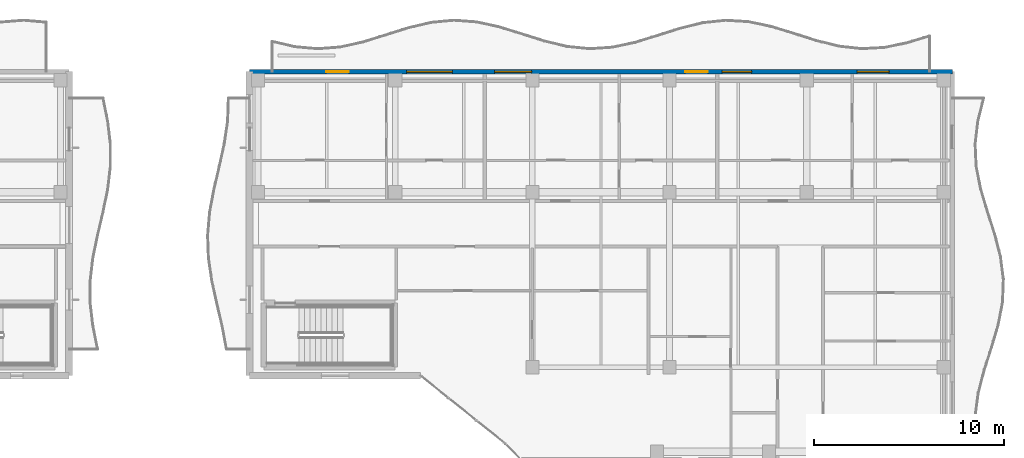
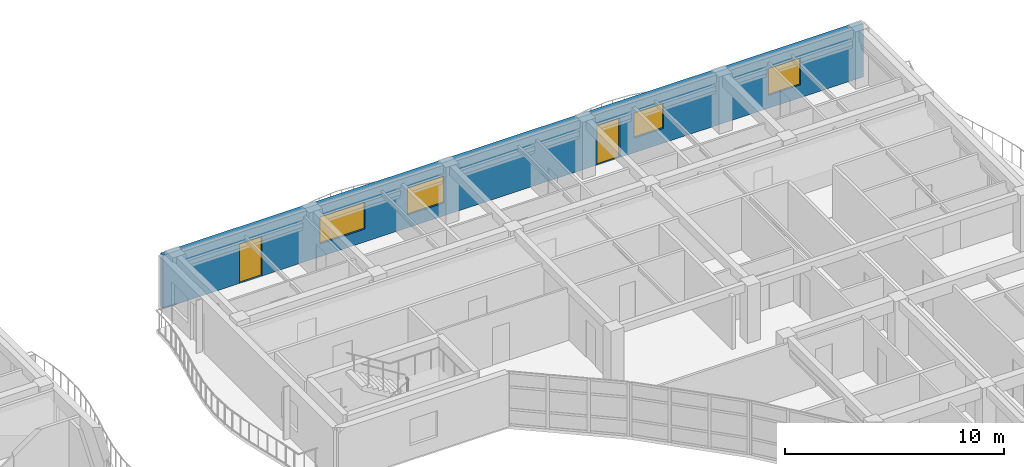
# One storey, part 63 of 89: 4 windows, 2 doors, 1 wall, 6 openings.
"""IFC4 building model written with IfcOpenShell, lengths in metres."""

from ifc_helpers import new_model, si_unit, direction, frame, frame_2d, origin, place, context, subcontext, project, spatial, rectangle, extrude, material, layer, layer_set, type_object, element, fill, save


model = new_model("IFC4")

# Units and contexts
model_context = context("Model", 3, precision=1e-05, world=origin(), true_north=direction((0.0, 1.0)))
body_context = subcontext(model_context, "Body", "Model", "MODEL_VIEW")
ifc_project = project(units=[si_unit("LENGTHUNIT", "METRE"), si_unit("AREAUNIT", "SQUARE_METRE"), si_unit("VOLUMEUNIT", "CUBIC_METRE"), si_unit("PLANEANGLEUNIT", "RADIAN"), si_unit("MASSUNIT", "GRAM", prefix="KILO")], contexts=[model_context])

# Site, building, storey
site_placement = place(None, origin())
site = spatial("IfcSite", under=ifc_project, at=site_placement, CompositionType="ELEMENT")
building_placement = place(site_placement, origin())
building = spatial("IfcBuilding", under=site, at=building_placement, Name="Keldmere Railside Commons", CompositionType="ELEMENT")
storey_placement = place(building_placement, frame((0.0, 0.0, 7.360107421875)))
storey = spatial("IfcBuildingStorey", under=building, at=storey_placement, Name="L02", CompositionType="ELEMENT", Elevation=7.360107421875)

# Wall, openings, windows, doors
ifc_material_1 = material(Name="Architectural Precast Concrete H-35 (C35/45)", Category="concrete")
ifc_layer = layer(ifc_material_1, 0.239990234375, Name="Sand-Ochre Precast Cavity Wall 240")
ifc_layer_set = layer_set([ifc_layer], Name="Architectural Precast Concrete H-35 (C35/45)")
wall_type = type_object("IfcWallType", Name="Sand-Ochre Precast Cavity Wall 240", PredefinedType="SOLIDWALL", material=ifc_layer_set)
wall_placement = place(storey_placement, frame((147.0, 116.0, 0.0), z_axis=(0.0, 0.0, 1.0), x_axis=(1.0, 0.0, 0.0)))
wall = element("IfcWall", 1, at=wall_placement, inside=storey, type_object=wall_type, Name="EW-2 EXTA-L02-0891", PredefinedType="SOLIDWALL", context=body_context, shape_type="SweptSolid", body=[
    extrude(rectangle(XDim=37.0, YDim=0.239990234375, at=frame_2d((18.5, 0.0))), origin(), (0.0, 0.0, 1.0), 2.97998046875),
])
opening_1_placement = place(wall_placement, frame((4.02490234375, 0.0, 0.0)))
opening_1 = element("IfcOpeningElement", 2, at=opening_1_placement, cuts=wall, Name="Opening BD-01", PredefinedType="OPENING", context=body_context, shape_type="SweptSolid", body=[
    extrude(rectangle(XDim=1.199951171875, YDim=2.199951171875, at=frame_2d((0.60009765625, 1.10009765625))), frame((0.0, 0.1298828125, 0.0), z_axis=(0.0, -1.0, 0.0), x_axis=(1.0, 0.0, 0.0)), (0.0, 0.0, 1.0), 0.260009765625),
])
opening_2_placement = place(wall_placement, frame((8.27490234375, 0.0, 0.719970703125)))
opening_2 = element("IfcOpeningElement", 3, at=opening_2_placement, cuts=wall, Name="Opening WN-05", PredefinedType="OPENING", context=body_context, shape_type="SweptSolid", body=[
    extrude(rectangle(XDim=2.39990234375, YDim=1.5, at=frame_2d((1.199951171875, 0.75))), frame((0.0, 0.1298828125, 0.0), z_axis=(0.0, -1.0, 0.0), x_axis=(1.0, 0.0, 0.0)), (0.0, 0.0, 1.0), 0.260009765625),
])
opening_3_placement = place(wall_placement, frame((12.89990234375, 0.0, 0.719970703125)))
opening_3 = element("IfcOpeningElement", 4, at=opening_3_placement, cuts=wall, Name="Opening WN-38", PredefinedType="OPENING", context=body_context, shape_type="SweptSolid", body=[
    extrude(rectangle(XDim=1.949951171875, YDim=1.5, at=frame_2d((0.97509765625, 0.75))), frame((0.0, 0.1298828125, 0.0), z_axis=(0.0, -1.0, 0.0), x_axis=(1.0, 0.0, 0.0)), (0.0, 0.0, 1.0), 0.260009765625),
])
opening_4_placement = place(wall_placement, frame((22.925048828125, 0.0, 0.0)))
opening_4 = element("IfcOpeningElement", 5, at=opening_4_placement, cuts=wall, Name="Opening BD-01", PredefinedType="OPENING", context=body_context, shape_type="SweptSolid", body=[
    extrude(rectangle(XDim=1.199951171875, YDim=2.199951171875, at=frame_2d((0.60009765625, 1.10009765625))), frame((0.0, 0.1298828125, 0.0), z_axis=(0.0, -1.0, 0.0), x_axis=(1.0, 0.0, 0.0)), (0.0, 0.0, 1.0), 0.260009765625),
])
opening_5_placement = place(wall_placement, frame((24.875, 0.0, 0.820068359375)))
opening_5 = element("IfcOpeningElement", 6, at=opening_5_placement, cuts=wall, Name="Opening WN-07", PredefinedType="OPENING", context=body_context, shape_type="SweptSolid", body=[
    extrude(rectangle(XDim=1.550048828125, YDim=1.39990234375, at=frame_2d((0.77490234375, 0.699951171875))), frame((0.0, 0.1298828125, 0.0), z_axis=(0.0, -1.0, 0.0), x_axis=(1.0, 0.0, 0.0)), (0.0, 0.0, 1.0), 0.260009765625),
])
opening_6_placement = place(wall_placement, frame((31.985107421875, 0.0, 0.719970703125)))
opening_6 = element("IfcOpeningElement", 7, at=opening_6_placement, cuts=wall, Name="Opening WN-40", PredefinedType="OPENING", context=body_context, shape_type="SweptSolid", body=[
    extrude(rectangle(XDim=1.679931640625, YDim=1.5, at=frame_2d((0.83984375, 0.75))), frame((0.0, 0.1298828125, 0.0), z_axis=(0.0, -1.0, 0.0), x_axis=(1.0, 0.0, 0.0)), (0.0, 0.0, 1.0), 0.260009765625),
])
ifc_material_2 = material(Name="Low-E Insulated Double Glazing", Category="glass")
window_type_1 = type_object("IfcWindowType", Name="Adaptable Apartment Wide Window 1950x1500", PartitioningType="SINGLE_PANEL", PredefinedType="WINDOW", material=ifc_material_2)
window_1_placement = place(opening_3_placement, origin())
window_1 = element("IfcWindow", 8, at=window_1_placement, inside=storey, type_object=window_type_1, Name="WN-38 WIN-L02-0613", OverallHeight=1.5, OverallWidth=1.949951171875, PartitioningType="SINGLE_PANEL", PredefinedType="WINDOW", context=body_context, shape_type="SweptSolid", body=[
    extrude(rectangle(XDim=1.949951171875, YDim=1.5, at=frame_2d((0.97509765625, 0.75))), frame((0.0, 0.030029296875, 0.0), z_axis=(0.0, -1.0, 0.0), x_axis=(1.0, 0.0, 0.0)), (0.0, 0.0, 1.0), 0.06005859375),
])
fill(opening_3, window_1)
ifc_material_3 = material(Name="Thermally Broken Aluminium", Category="aluminium")
door_type = type_object("IfcDoorType", Name="Apartment Living Wave-Balcony Glazed Door 1200x2200", OperationType="NOTDEFINED", PredefinedType="DOOR", material=ifc_material_3)
door_1_placement = place(opening_1_placement, origin())
door_1 = element("IfcDoor", 9, at=door_1_placement, inside=storey, type_object=door_type, Name="BD-01 DR-L02-0228", OperationType="SINGLE_SWING_RIGHT", OverallHeight=2.199951171875, OverallWidth=1.199951171875, PredefinedType="DOOR", context=body_context, shape_type="SweptSolid", body=[
    extrude(rectangle(XDim=1.199951171875, YDim=2.199951171875, at=frame_2d((0.60009765625, 1.10009765625))), frame((0.0, 0.02490234375, 0.0), z_axis=(0.0, -1.0, 0.0), x_axis=(1.0, 0.0, 0.0)), (0.0, 0.0, 1.0), 0.050048828125),
])
fill(opening_1, door_1)
door_2_placement = place(opening_4_placement, origin())
door_2 = element("IfcDoor", 10, at=door_2_placement, inside=storey, type_object=door_type, Name="BD-01 DR-L02-0229", OperationType="SINGLE_SWING_LEFT", OverallHeight=2.199951171875, OverallWidth=1.199951171875, PredefinedType="DOOR", context=body_context, shape_type="SweptSolid", body=[
    extrude(rectangle(XDim=1.199951171875, YDim=2.199951171875, at=frame_2d((0.60009765625, 1.10009765625))), frame((0.0, 0.02490234375, 0.0), z_axis=(0.0, -1.0, 0.0), x_axis=(1.0, 0.0, 0.0)), (0.0, 0.0, 1.0), 0.050048828125),
])
fill(opening_4, door_2)
window_type_2 = type_object("IfcWindowType", Name="Corner Dual-Aspect Ribbon Window 2400x1500", PartitioningType="SINGLE_PANEL", PredefinedType="WINDOW", material=ifc_material_2)
window_2_placement = place(opening_2_placement, origin())
window_2 = element("IfcWindow", 11, at=window_2_placement, inside=storey, type_object=window_type_2, Name="WN-05 WIN-L02-0612", OverallHeight=1.5, OverallWidth=2.39990234375, PartitioningType="SINGLE_PANEL", PredefinedType="WINDOW", context=body_context, shape_type="SweptSolid", body=[
    extrude(rectangle(XDim=2.39990234375, YDim=1.5, at=frame_2d((1.199951171875, 0.75))), frame((0.0, 0.030029296875, 0.0), z_axis=(0.0, -1.0, 0.0), x_axis=(1.0, 0.0, 0.0)), (0.0, 0.0, 1.0), 0.06005859375),
])
fill(opening_2, window_2)
window_type_3 = type_object("IfcWindowType", Name="Primary Bedroom South Window 1550x1400", PartitioningType="SINGLE_PANEL", PredefinedType="WINDOW", material=ifc_material_2)
window_3_placement = place(opening_5_placement, origin())
window_3 = element("IfcWindow", 12, at=window_3_placement, inside=storey, type_object=window_type_3, Name="WN-07 WIN-L02-0614", OverallHeight=1.39990234375, OverallWidth=1.550048828125, PartitioningType="SINGLE_PANEL", PredefinedType="WINDOW", context=body_context, shape_type="SweptSolid", body=[
    extrude(rectangle(XDim=1.550048828125, YDim=1.39990234375, at=frame_2d((0.77490234375, 0.699951171875))), frame((0.0, 0.030029296875, 0.0), z_axis=(0.0, -1.0, 0.0), x_axis=(1.0, 0.0, 0.0)), (0.0, 0.0, 1.0), 0.06005859375),
])
fill(opening_5, window_3)
window_type_4 = type_object("IfcWindowType", Name="Two-Bed Dining Casement Window 1680x1500", PartitioningType="SINGLE_PANEL", PredefinedType="WINDOW", material=ifc_material_2)
window_4_placement = place(opening_6_placement, origin())
window_4 = element("IfcWindow", 13, at=window_4_placement, inside=storey, type_object=window_type_4, Name="WN-40 WIN-L02-0615", OverallHeight=1.5, OverallWidth=1.679931640625, PartitioningType="SINGLE_PANEL", PredefinedType="WINDOW", context=body_context, shape_type="SweptSolid", body=[
    extrude(rectangle(XDim=1.679931640625, YDim=1.5, at=frame_2d((0.83984375, 0.75))), frame((0.0, 0.030029296875, 0.0), z_axis=(0.0, -1.0, 0.0), x_axis=(1.0, 0.0, 0.0)), (0.0, 0.0, 1.0), 0.06005859375),
])
fill(opening_6, window_4)

save(model, "model.ifc")
